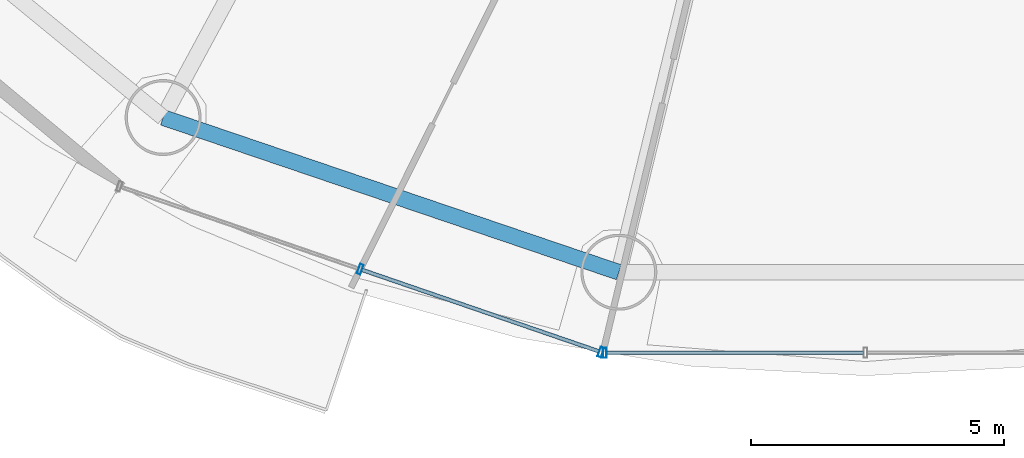
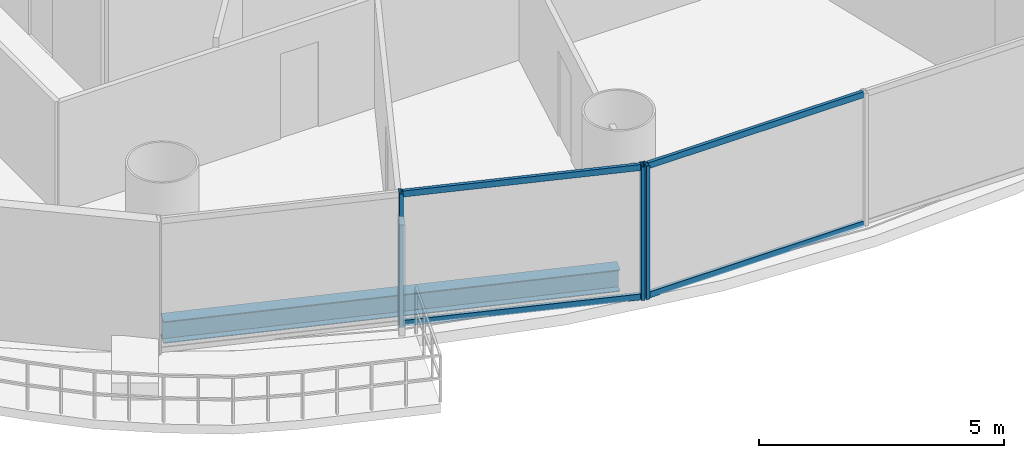
# One storey, part 4 of 29: 7 members, 1 beam, 2 elements without a shape of their own.
"""IFC4 building model written with IfcOpenShell, lengths in metres."""

from ifc_helpers import new_model, si_unit, direction, frame, origin, origin_2d, place, context, subcontext, project, spatial, hollow_rectangle, i_section, extrude, source, transform, mapped, material, material_profile, profile_set, type_object, element, aggregate, save


model = new_model("IFC4")

# Units and contexts
model_context = context("Model", 3, precision=1e-05, world=origin(), true_north=direction((-0.2419218956, 0.970295726276)))
body_context = subcontext(model_context, "Body", "Model", "MODEL_VIEW")
ifc_project = project(units=[si_unit("LENGTHUNIT", "METRE"), si_unit("AREAUNIT", "SQUARE_METRE"), si_unit("VOLUMEUNIT", "CUBIC_METRE"), si_unit("PLANEANGLEUNIT", "RADIAN"), si_unit("MASSUNIT", "GRAM", prefix="KILO")], contexts=[model_context])

# Site, building, storey
site_placement = place(None, origin())
site = spatial("IfcSite", under=ifc_project, at=site_placement, CompositionType="ELEMENT")
building_placement = place(site_placement, origin())
building = spatial("IfcBuilding", under=site, at=building_placement, Name="Cobrevalo Terracotta Tower", CompositionType="ELEMENT")
storey_placement = place(building_placement, frame((0.0, 0.0, 87.0)))
storey = spatial("IfcBuildingStorey", under=building, at=storey_placement, Name="L22", CompositionType="ELEMENT", Elevation=87.0)

# Beam
ifc_material_1 = material(Name="Steel S355", Category="steel")
ifc_material_profile_1 = material_profile(ifc_material_1, i_section(OverallWidth=0.31201171875, OverallDepth=0.54296875, WebThickness=0.0126953125, FlangeThickness=0.020263671875, at=origin_2d()), Name="W 530x150")
ifc_profile_set_1 = profile_set([ifc_material_profile_1], Name="Steel S355")
beam_type = type_object("IfcBeamType", Name="Structural Spandrel W 530x150 (Steel S355)", PredefinedType="SPANDREL", material=ifc_profile_set_1)
beam_placement = place(storey_placement, frame((24.138427734375, 9.79638671875, -0.54638671875), z_axis=(0.94691835344, -0.321474154356, 0.0), x_axis=(0.321474154356, 0.94691835344, 0.0)))
element("IfcBeam", 1, at=beam_placement, inside=storey, type_object=beam_type, Name="L22 perimeter ring spandrel 11", PredefinedType="SPANDREL", context=body_context, shape_type="SweptSolid", body=[
    extrude(i_section(OverallWidth=0.31201171875, OverallDepth=0.54296875, WebThickness=0.0126953125, FlangeThickness=0.020263671875, at=origin_2d()), origin(), (0.0, 0.0, 1.0), 9.498291015625),
])

# Curtain wall, members
ifc_material_2 = material(Name="Anodized aluminium", Category="aluminium")
curtain_wall_type = type_object("IfcCurtainWallType", Name="Lower-tower unitised acoustic low-E curtain wall CW-U1", PredefinedType="NOTDEFINED", material=ifc_material_2)
curtain_wall_1_placement = place(storey_placement, origin())
curtain_wall_1 = element("IfcCurtainWall", 2, at=curtain_wall_1_placement, inside=storey, type_object=curtain_wall_type, Name="L22 curtain wall CW-L22-S11", PredefinedType="NOTDEFINED")
ifc_material_profile_2 = material_profile(ifc_material_2, hollow_rectangle(XDim=0.074951171875, YDim=0.199951171875, WallThickness=0.0048828125, at=origin_2d()), Name="CWM 75x200")
ifc_profile_set_2 = profile_set([ifc_material_profile_2], Name="Anodized aluminium")
member_type_1 = type_object("IfcMemberType", Name="Lower/mid tower unitised mullion 75x200", PredefinedType="MULLION", material=ifc_profile_set_2)
shared_shape_1 = source(origin(), body_context, "Body", "SweptSolid", [
    extrude(hollow_rectangle(XDim=0.074951171875, YDim=0.199951171875, WallThickness=0.0048828125, at=origin_2d()), origin(), (0.0, 0.0, 1.0), 3.324951171875),
])
member_1_placement = place(storey_placement, frame((28.027587890625, 6.8017578125, 0.0), z_axis=(0.0, 0.0, 1.0), x_axis=(0.94559809868, -0.325337110968, 0.0)))
member_1 = element("IfcMember", 3, at=member_1_placement, type_object=member_type_1, Name="CW-L22-S11 vertical mullion 02", PredefinedType="MULLION", context=body_context, shape_type="MappedRepresentation", body=[
    mapped(shared_shape_1, transform((0.0, 0.0, 0.0), scale=1.0)),
])
member_2_placement = place(storey_placement, frame((32.778564453125, 5.1669921875, 0.0), z_axis=(0.0, 0.0, 1.0), x_axis=(0.94559809868, -0.325337110968, 0.0)))
member_2 = element("IfcMember", 4, at=member_2_placement, type_object=member_type_1, Name="CW-L22-S11 vertical mullion 03", PredefinedType="MULLION", context=body_context, shape_type="MappedRepresentation", body=[
    mapped(shared_shape_1, transform((0.0, 0.0, 0.0), scale=1.0)),
])

# Curtain wall, member
curtain_wall_2_placement = place(storey_placement, origin())
curtain_wall_2 = element("IfcCurtainWall", 5, at=curtain_wall_2_placement, inside=storey, type_object=curtain_wall_type, Name="L22 curtain wall CW-L22-S12", PredefinedType="NOTDEFINED")
member_3_placement = place(storey_placement, frame((32.8564453125, 5.154052734375, 0.0), z_axis=(0.0, 0.0, 1.0), x_axis=(1.0, 0.0, 0.0)))
member_3 = element("IfcMember", 6, at=member_3_placement, type_object=member_type_1, Name="CW-L22-S12 vertical mullion 01", PredefinedType="MULLION", context=body_context, shape_type="MappedRepresentation", body=[
    mapped(shared_shape_1, transform((0.0, 0.0, 0.0), scale=1.0)),
])

# Member
ifc_material_profile_3 = material_profile(ifc_material_2, hollow_rectangle(XDim=0.074951171875, YDim=0.14990234375, WallThickness=0.00439453125, at=origin_2d()), Name="CWT 75x150")
ifc_profile_set_3 = profile_set([ifc_material_profile_3], Name="Anodized aluminium")
member_type_2 = type_object("IfcMemberType", Name="Tower unitised aluminium transom 75x150", PredefinedType="USERDEFINED", material=ifc_profile_set_3)
shared_shape_2 = source(origin(), body_context, "Body", "SweptSolid", [
    extrude(hollow_rectangle(XDim=0.074951171875, YDim=0.14990234375, WallThickness=0.00439453125, at=origin_2d()), origin(), (0.0, 0.0, 1.0), 4.944580078125),
])
member_4_placement = place(storey_placement, frame((28.065185546875, 6.788818359375, 0.050048828125), z_axis=(0.945597859971, -0.32533780478, 0.0), x_axis=(0.32533780478, 0.945597859971, 0.0)))
member_4 = element("IfcMember", 7, at=member_4_placement, type_object=member_type_2, Name="CW-L22-S11 transom B02-T1", ObjectType="TRANSOM", PredefinedType="USERDEFINED", context=body_context, shape_type="MappedRepresentation", body=[
    mapped(shared_shape_2, transform((0.0, 0.0, 0.0), scale=1.0)),
])

member_5_placement = place(storey_placement, frame((28.065185546875, 6.788818359375, 3.27490234375), z_axis=(0.945597859971, -0.32533780478, 0.0), x_axis=(0.32533780478, 0.945597859971, 0.0)))
member_5 = element("IfcMember", 8, at=member_5_placement, type_object=member_type_2, Name="CW-L22-S11 transom B02-T2", ObjectType="TRANSOM", PredefinedType="USERDEFINED", context=body_context, shape_type="MappedRepresentation", body=[
    mapped(shared_shape_2, transform((0.0, 0.0, 0.0), scale=1.0)),
])

aggregate(curtain_wall_1, [member_1, member_2, member_4, member_5])

shared_shape_3 = source(origin(), body_context, "Body", "SweptSolid", [
    extrude(hollow_rectangle(XDim=0.074951171875, YDim=0.14990234375, WallThickness=0.00439453125, at=origin_2d()), origin(), (0.0, 0.0, 1.0), 5.0634765625),
])
member_6_placement = place(storey_placement, frame((32.896484375, 5.154052734375, 0.050048828125), z_axis=(1.0, 0.0, 0.0), x_axis=(0.0, 1.0, 0.0)))
member_6 = element("IfcMember", 9, at=member_6_placement, type_object=member_type_2, Name="CW-L22-S12 transom B01-T1", ObjectType="TRANSOM", PredefinedType="USERDEFINED", context=body_context, shape_type="MappedRepresentation", body=[
    mapped(shared_shape_3, transform((0.0, 0.0, 0.0), scale=1.0)),
])

member_7_placement = place(storey_placement, frame((32.896484375, 5.154052734375, 3.27490234375), z_axis=(1.0, 0.0, 0.0), x_axis=(0.0, 1.0, 0.0)))
member_7 = element("IfcMember", 10, at=member_7_placement, type_object=member_type_2, Name="CW-L22-S12 transom B01-T2", ObjectType="TRANSOM", PredefinedType="USERDEFINED", context=body_context, shape_type="MappedRepresentation", body=[
    mapped(shared_shape_3, transform((0.0, 0.0, 0.0), scale=1.0)),
])

aggregate(curtain_wall_2, [member_3, member_6, member_7])

save(model, "model.ifc")
